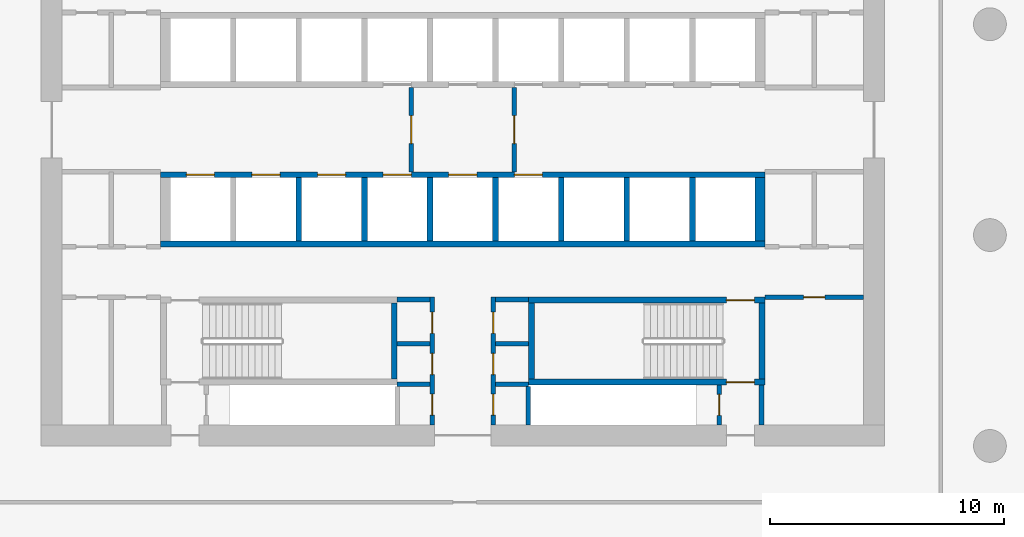
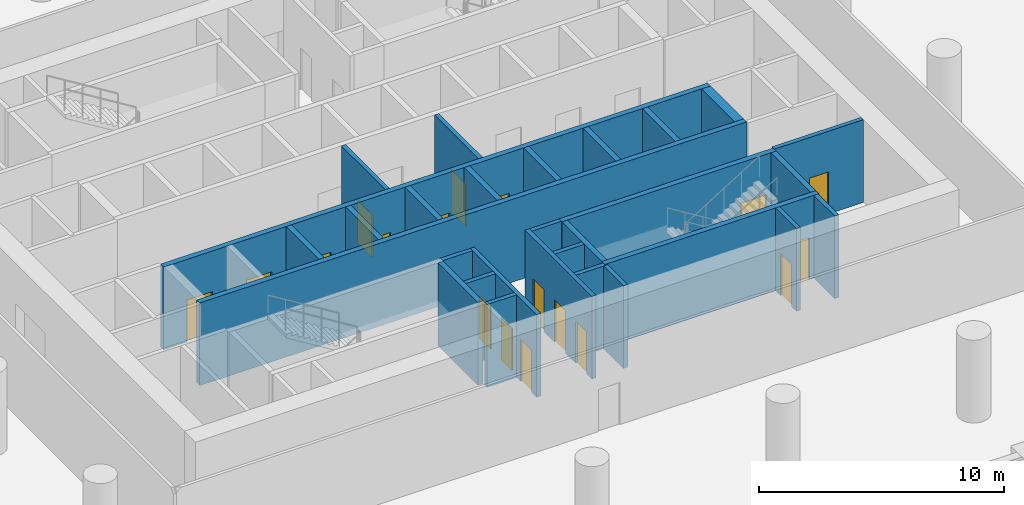
# One storey, part 5 of 18: 29 walls, 18 doors, 18 openings.
"""IFC4 building model written with IfcOpenShell, lengths in metres."""

from ifc_helpers import new_model, si_unit, direction, frame, frame_2d, origin, place, context, subcontext, project, spatial, polyline, rectangle, outline, extrude, material, layer, layer_set, type_object, element, fill, save


model = new_model("IFC4")

# Units and contexts
model_context = context("Model", 3, precision=1e-05, world=origin(), true_north=direction((0.0, 1.0)))
body_context = subcontext(model_context, "Body", "Model", "MODEL_VIEW")
ifc_project = project(units=[si_unit("LENGTHUNIT", "METRE"), si_unit("AREAUNIT", "SQUARE_METRE"), si_unit("VOLUMEUNIT", "CUBIC_METRE"), si_unit("PLANEANGLEUNIT", "RADIAN"), si_unit("MASSUNIT", "GRAM", prefix="KILO")], contexts=[model_context])

# Site, building, storey
site_placement = place(None, origin())
site = spatial("IfcSite", under=ifc_project, at=site_placement, CompositionType="ELEMENT")
building_placement = place(site_placement, origin())
building = spatial("IfcBuilding", under=site, at=building_placement, Name="Dhurran Vertical Campus", CompositionType="ELEMENT")
storey_placement = place(building_placement, frame((0.0, 0.0, 76.800048828125)))
storey = spatial("IfcBuildingStorey", under=building, at=storey_placement, Name="L18 Plant", CompositionType="ELEMENT", Elevation=76.800048828125)

# Wall, opening, door
ifc_material_1 = material(Name="Fire-rated masonry blockwork", Category="masonry")
ifc_layer_1 = layer(ifc_material_1, 0.199951171875)
ifc_layer_set_1 = layer_set([ifc_layer_1], Name="Fire-rated masonry blockwork")
wall_type_1 = type_object("IfcWallType", Name="co-FIRE-PARTITION-200", PredefinedType="PARTITIONING", material=ifc_layer_set_1)
wall_1_placement = place(storey_placement, frame((-2.199951171875, -1.800048828125, 0.0), z_axis=(0.0, 0.0, 1.0), x_axis=(0.0, 1.0, 0.0)))
wall_1 = element("IfcWall", 1, at=wall_1_placement, inside=storey, type_object=wall_type_1, Name="Firefighting lobby wall W L18", PredefinedType="PARTITIONING", context=body_context, shape_type="SweptSolid", body=[
    extrude(rectangle(XDim=3.60009765625, YDim=0.199951171875, at=frame_2d((1.800048828125, 0.0))), origin(), (0.0, 0.0, 1.0), 4.125),
])
opening_1_placement = place(wall_1_placement, frame((1.199951171875, 0.0, 0.0)))
opening_1 = element("IfcOpeningElement", 2, at=opening_1_placement, cuts=wall_1, Name="Opening FL1", PredefinedType="OPENING", context=body_context, shape_type="SweptSolid", body=[
    extrude(rectangle(XDim=1.199951171875, YDim=2.10009765625, at=frame_2d((0.60009765625, 1.050048828125))), frame((0.0, 0.10986328125, 0.0), z_axis=(0.0, -1.0, 0.0), x_axis=(1.0, 0.0, 0.0)), (0.0, 0.0, 1.0), 0.219970703125),
])
ifc_material_2 = material(Name="Fire-rated steel door set", Category="steel")
door_type_1 = type_object("IfcDoorType", Name="co-D-FFLOBBY 1200x2100", OperationType="SINGLE_SWING_LEFT", PredefinedType="DOOR", material=ifc_material_2)
door_1_placement = place(opening_1_placement, origin())
door_1 = element("IfcDoor", 3, at=door_1_placement, inside=storey, type_object=door_type_1, Name="Firefighting lobby door W L18", OperationType="SINGLE_SWING_LEFT", OverallHeight=2.10009765625, OverallWidth=1.199951171875, PredefinedType="DOOR", context=body_context, shape_type="SweptSolid", body=[
    extrude(rectangle(XDim=1.199951171875, YDim=2.10009765625, at=frame_2d((0.60009765625, 1.050048828125))), frame((0.0, 0.02490234375, 0.0), z_axis=(0.0, -1.0, 0.0), x_axis=(1.0, 0.0, 0.0)), (0.0, 0.0, 1.0), 0.050048828125),
])
fill(opening_1, door_1)

wall_2_placement = place(storey_placement, frame((2.199951171875, -1.800048828125, 0.0), z_axis=(0.0, 0.0, 1.0), x_axis=(0.0, 1.0, 0.0)))
wall_2 = element("IfcWall", 4, at=wall_2_placement, inside=storey, type_object=wall_type_1, Name="Firefighting lobby wall E L18", PredefinedType="PARTITIONING", context=body_context, shape_type="SweptSolid", body=[
    extrude(rectangle(XDim=3.60009765625, YDim=0.199951171875, at=frame_2d((1.800048828125, 0.0))), origin(), (0.0, 0.0, 1.0), 4.125),
])
opening_2_placement = place(wall_2_placement, frame((1.199951171875, 0.0, 0.0)))
opening_2 = element("IfcOpeningElement", 5, at=opening_2_placement, cuts=wall_2, Name="Opening FL2", PredefinedType="OPENING", context=body_context, shape_type="SweptSolid", body=[
    extrude(rectangle(XDim=1.199951171875, YDim=2.10009765625, at=frame_2d((0.60009765625, 1.050048828125))), frame((0.0, 0.10986328125, 0.0), z_axis=(0.0, -1.0, 0.0), x_axis=(1.0, 0.0, 0.0)), (0.0, 0.0, 1.0), 0.219970703125),
])
door_2_placement = place(opening_2_placement, origin())
door_2 = element("IfcDoor", 6, at=door_2_placement, inside=storey, type_object=door_type_1, Name="Firefighting lobby door E L18", OperationType="SINGLE_SWING_LEFT", OverallHeight=2.10009765625, OverallWidth=1.199951171875, PredefinedType="DOOR", context=body_context, shape_type="SweptSolid", body=[
    extrude(rectangle(XDim=1.199951171875, YDim=2.10009765625, at=frame_2d((0.60009765625, 1.050048828125))), frame((0.0, 0.02490234375, 0.0), z_axis=(0.0, -1.0, 0.0), x_axis=(1.0, 0.0, 0.0)), (0.0, 0.0, 1.0), 0.050048828125),
])
fill(opening_2, door_2)

# Walls
for number, where, z_axis, x_axis, name in (
    (7, (-2.800048828125, -7.25, 0.0), (0.0, 0.0, 1.0), (1.0, 0.0, 0.0), "Core partition sl-SW-S L18"),
    (8, (-2.800048828125, -9.135009765625, 0.0), (0.0, 0.0, 1.0), (1.0, 0.0, 0.0), "Core partition sl-SW-cut0 L18"),
    (9, (-2.800048828125, -10.867431640625, 0.0), (0.0, 0.0, 1.0), (1.0, 0.0, 0.0), "Core partition sl-SW-cut1 L18"),
    (10, (1.39990234375, -7.25, 0.0), (0.0, 0.0, 1.0), (1.0, 0.0, 0.0), "Core partition sl-SE-S L18"),
    (11, (1.39990234375, -9.135009765625, 0.0), (0.0, 0.0, 1.0), (1.0, 0.0, 0.0), "Core partition sl-SE-cut0 L18"),
    (12, (1.39990234375, -10.867431640625, 0.0), (0.0, 0.0, 1.0), (1.0, 0.0, 0.0), "Core partition sl-SE-cut1 L18"),
):
    element("IfcWall", number, at=place(storey_placement, frame(where, z_axis=z_axis, x_axis=x_axis)), inside=storey, type_object=wall_type_1, Name=name, PredefinedType="PARTITIONING", context=body_context, shape_type="SweptSolid", body=[
        extrude(rectangle(XDim=1.400146484375, YDim=0.199951171875, at=frame_2d((0.7001953125, 0.0))), origin(), (0.0, 0.0, 1.0), 4.125),
    ])

# Wall, openings, doors
wall_3_placement = place(storey_placement, frame((-1.300048828125, -12.60009765625, 0.0), z_axis=(0.0, 0.0, 1.0), x_axis=(0.0, 1.0, 0.0)))
wall_3 = element("IfcWall", 13, at=wall_3_placement, inside=storey, type_object=wall_type_1, Name="Core partition vest-SW L18", PredefinedType="PARTITIONING", context=body_context, shape_type="SweptSolid", body=[
    extrude(rectangle(XDim=5.4501953125, YDim=0.199951171875, at=frame_2d((2.72509765625, 0.0))), origin(), (0.0, 0.0, 1.0), 4.125),
])
opening_3_placement = place(wall_3_placement, frame((0.416259765625, 0.0, 0.0)))
opening_3 = element("IfcOpeningElement", 14, at=opening_3_placement, cuts=wall_3, Name="Opening BR18-C1", PredefinedType="OPENING", context=body_context, shape_type="SweptSolid", body=[
    extrude(rectangle(XDim=0.89990234375, YDim=2.10009765625, at=frame_2d((0.449951171875, 1.050048828125))), frame((0.0, 0.10986328125, 0.0), z_axis=(0.0, -1.0, 0.0), x_axis=(1.0, 0.0, 0.0)), (0.0, 0.0, 1.0), 0.219970703125),
])
opening_4_placement = place(wall_3_placement, frame((2.148681640625, 0.0, 0.0)))
opening_4 = element("IfcOpeningElement", 15, at=opening_4_placement, cuts=wall_3, Name="Opening BR18-C2", PredefinedType="OPENING", context=body_context, shape_type="SweptSolid", body=[
    extrude(rectangle(XDim=0.89990234375, YDim=2.10009765625, at=frame_2d((0.449951171875, 1.050048828125))), frame((0.0, 0.10986328125, 0.0), z_axis=(0.0, -1.0, 0.0), x_axis=(1.0, 0.0, 0.0)), (0.0, 0.0, 1.0), 0.219970703125),
])
opening_5_placement = place(wall_3_placement, frame((3.907470703125, 0.0, 0.0)))
opening_5 = element("IfcOpeningElement", 16, at=opening_5_placement, cuts=wall_3, Name="Opening BR18-C3", PredefinedType="OPENING", context=body_context, shape_type="SweptSolid", body=[
    extrude(rectangle(XDim=0.89990234375, YDim=2.10009765625, at=frame_2d((0.449951171875, 1.050048828125))), frame((0.0, 0.10986328125, 0.0), z_axis=(0.0, -1.0, 0.0), x_axis=(1.0, 0.0, 0.0)), (0.0, 0.0, 1.0), 0.219970703125),
])
ifc_material_3 = material(Name="Fire-rated timber door set", Category="wood")
door_type_2 = type_object("IfcDoorType", Name="co-D-ROOM 900x2100", OperationType="SINGLE_SWING_LEFT", PredefinedType="DOOR", material=ifc_material_3)
door_3_placement = place(opening_3_placement, origin())
door_3 = element("IfcDoor", 17, at=door_3_placement, inside=storey, type_object=door_type_2, Name="Sprinkler valve room door L18", OperationType="SINGLE_SWING_LEFT", OverallHeight=2.10009765625, OverallWidth=0.89990234375, PredefinedType="DOOR", context=body_context, shape_type="SweptSolid", body=[
    extrude(rectangle(XDim=0.89990234375, YDim=2.10009765625, at=frame_2d((0.449951171875, 1.050048828125))), frame((0.0, 0.02490234375, 0.0), z_axis=(0.0, -1.0, 0.0), x_axis=(1.0, 0.0, 0.0)), (0.0, 0.0, 1.0), 0.050048828125),
])
fill(opening_3, door_3)
door_4_placement = place(opening_4_placement, origin())
door_4 = element("IfcDoor", 18, at=door_4_placement, inside=storey, type_object=door_type_2, Name="Pump room door L18", OperationType="SINGLE_SWING_LEFT", OverallHeight=2.10009765625, OverallWidth=0.89990234375, PredefinedType="DOOR", context=body_context, shape_type="SweptSolid", body=[
    extrude(rectangle(XDim=0.89990234375, YDim=2.10009765625, at=frame_2d((0.449951171875, 1.050048828125))), frame((0.0, 0.02490234375, 0.0), z_axis=(0.0, -1.0, 0.0), x_axis=(1.0, 0.0, 0.0)), (0.0, 0.0, 1.0), 0.050048828125),
])
fill(opening_4, door_4)
door_5_placement = place(opening_5_placement, origin())
door_5 = element("IfcDoor", 19, at=door_5_placement, inside=storey, type_object=door_type_2, Name="Water tank room door L18", OperationType="SINGLE_SWING_LEFT", OverallHeight=2.10009765625, OverallWidth=0.89990234375, PredefinedType="DOOR", context=body_context, shape_type="SweptSolid", body=[
    extrude(rectangle(XDim=0.89990234375, YDim=2.10009765625, at=frame_2d((0.449951171875, 1.050048828125))), frame((0.0, 0.02490234375, 0.0), z_axis=(0.0, -1.0, 0.0), x_axis=(1.0, 0.0, 0.0)), (0.0, 0.0, 1.0), 0.050048828125),
])
fill(opening_5, door_5)

wall_4_placement = place(storey_placement, frame((1.300048828125, -12.60009765625, 0.0), z_axis=(0.0, 0.0, 1.0), x_axis=(0.0, 1.0, 0.0)))
wall_4 = element("IfcWall", 20, at=wall_4_placement, inside=storey, type_object=wall_type_1, Name="Core partition vest-SE L18", PredefinedType="PARTITIONING", context=body_context, shape_type="SweptSolid", body=[
    extrude(rectangle(XDim=5.4501953125, YDim=0.199951171875, at=frame_2d((2.72509765625, 0.0))), origin(), (0.0, 0.0, 1.0), 4.125),
])
opening_6_placement = place(wall_4_placement, frame((0.416259765625, 0.0, 0.0)))
opening_6 = element("IfcOpeningElement", 21, at=opening_6_placement, cuts=wall_4, Name="Opening BR18-C4", PredefinedType="OPENING", context=body_context, shape_type="SweptSolid", body=[
    extrude(rectangle(XDim=0.89990234375, YDim=2.10009765625, at=frame_2d((0.449951171875, 1.050048828125))), frame((0.0, 0.10986328125, 0.0), z_axis=(0.0, -1.0, 0.0), x_axis=(1.0, 0.0, 0.0)), (0.0, 0.0, 1.0), 0.219970703125),
])
opening_7_placement = place(wall_4_placement, frame((2.148681640625, 0.0, 0.0)))
opening_7 = element("IfcOpeningElement", 22, at=opening_7_placement, cuts=wall_4, Name="Opening BR18-C5", PredefinedType="OPENING", context=body_context, shape_type="SweptSolid", body=[
    extrude(rectangle(XDim=0.89990234375, YDim=2.10009765625, at=frame_2d((0.449951171875, 1.050048828125))), frame((0.0, 0.10986328125, 0.0), z_axis=(0.0, -1.0, 0.0), x_axis=(1.0, 0.0, 0.0)), (0.0, 0.0, 1.0), 0.219970703125),
])
opening_8_placement = place(wall_4_placement, frame((3.907470703125, 0.0, 0.0)))
opening_8 = element("IfcOpeningElement", 23, at=opening_8_placement, cuts=wall_4, Name="Opening BR18-C6", PredefinedType="OPENING", context=body_context, shape_type="SweptSolid", body=[
    extrude(rectangle(XDim=0.89990234375, YDim=2.10009765625, at=frame_2d((0.449951171875, 1.050048828125))), frame((0.0, 0.10986328125, 0.0), z_axis=(0.0, -1.0, 0.0), x_axis=(1.0, 0.0, 0.0)), (0.0, 0.0, 1.0), 0.219970703125),
])
door_6_placement = place(opening_6_placement, origin())
door_6 = element("IfcDoor", 24, at=door_6_placement, inside=storey, type_object=door_type_2, Name="Heat exchanger plant room door L18", OperationType="SINGLE_SWING_LEFT", OverallHeight=2.10009765625, OverallWidth=0.89990234375, PredefinedType="DOOR", context=body_context, shape_type="SweptSolid", body=[
    extrude(rectangle(XDim=0.89990234375, YDim=2.10009765625, at=frame_2d((0.449951171875, 1.050048828125))), frame((0.0, 0.02490234375, 0.0), z_axis=(0.0, -1.0, 0.0), x_axis=(1.0, 0.0, 0.0)), (0.0, 0.0, 1.0), 0.050048828125),
])
fill(opening_6, door_6)
door_7_placement = place(opening_7_placement, origin())
door_7 = element("IfcDoor", 25, at=door_7_placement, inside=storey, type_object=door_type_2, Name="Transformer room door L18", OperationType="SINGLE_SWING_LEFT", OverallHeight=2.10009765625, OverallWidth=0.89990234375, PredefinedType="DOOR", context=body_context, shape_type="SweptSolid", body=[
    extrude(rectangle(XDim=0.89990234375, YDim=2.10009765625, at=frame_2d((0.449951171875, 1.050048828125))), frame((0.0, 0.02490234375, 0.0), z_axis=(0.0, -1.0, 0.0), x_axis=(1.0, 0.0, 0.0)), (0.0, 0.0, 1.0), 0.050048828125),
])
fill(opening_7, door_7)
door_8_placement = place(opening_8_placement, origin())
door_8 = element("IfcDoor", 26, at=door_8_placement, inside=storey, type_object=door_type_2, Name="Air handling plant room door L18", OperationType="SINGLE_SWING_LEFT", OverallHeight=2.10009765625, OverallWidth=0.89990234375, PredefinedType="DOOR", context=body_context, shape_type="SweptSolid", body=[
    extrude(rectangle(XDim=0.89990234375, YDim=2.10009765625, at=frame_2d((0.449951171875, 1.050048828125))), frame((0.0, 0.02490234375, 0.0), z_axis=(0.0, -1.0, 0.0), x_axis=(1.0, 0.0, 0.0)), (0.0, 0.0, 1.0), 0.050048828125),
])
fill(opening_8, door_8)

# Wall
wall_5_placement = place(storey_placement, frame((12.75, -12.60009765625, 0.0), z_axis=(0.0, 0.0, 1.0), x_axis=(0.0, 1.0, 0.0)))
element("IfcWall", 27, at=wall_5_placement, inside=storey, type_object=wall_type_1, Name="Core partition pass-ST4-o L18", PredefinedType="PARTITIONING", context=body_context, shape_type="SweptSolid", body=[
    extrude(rectangle(XDim=1.7001953125, YDim=0.199951171875, at=frame_2d((0.85009765625, 0.0))), origin(), (0.0, 0.0, 1.0), 4.125),
])

# Wall, opening, door
wall_6_placement = place(storey_placement, frame((10.949951171875, -12.60009765625, 0.0), z_axis=(0.0, 0.0, 1.0), x_axis=(0.0, 1.0, 0.0)))
wall_6 = element("IfcWall", 28, at=wall_6_placement, inside=storey, type_object=wall_type_1, Name="Core partition pass-ST4-i L18", PredefinedType="PARTITIONING", context=body_context, shape_type="SweptSolid", body=[
    extrude(rectangle(XDim=1.7001953125, YDim=0.199951171875, at=frame_2d((0.85009765625, 0.0))), origin(), (0.0, 0.0, 1.0), 4.125),
])
opening_9_placement = place(wall_6_placement, frame((0.39990234375, 0.0, 0.0)))
opening_9 = element("IfcOpeningElement", 29, at=opening_9_placement, cuts=wall_6, Name="Opening BR18-C13", PredefinedType="OPENING", context=body_context, shape_type="SweptSolid", body=[
    extrude(rectangle(XDim=0.89990234375, YDim=2.10009765625, at=frame_2d((0.449951171875, 1.050048828125))), frame((0.0, 0.10986328125, 0.0), z_axis=(0.0, -1.0, 0.0), x_axis=(1.0, 0.0, 0.0)), (0.0, 0.0, 1.0), 0.219970703125),
])
door_9_placement = place(opening_9_placement, origin())
door_9 = element("IfcDoor", 30, at=door_9_placement, inside=storey, type_object=door_type_2, Name="Riser room door L18", OperationType="SINGLE_SWING_LEFT", OverallHeight=2.10009765625, OverallWidth=0.89990234375, PredefinedType="DOOR", context=body_context, shape_type="SweptSolid", body=[
    extrude(rectangle(XDim=0.89990234375, YDim=2.10009765625, at=frame_2d((0.449951171875, 1.050048828125))), frame((0.0, 0.02490234375, 0.0), z_axis=(0.0, -1.0, 0.0), x_axis=(1.0, 0.0, 0.0)), (0.0, 0.0, 1.0), 0.050048828125),
])
fill(opening_9, door_9)

wall_7_placement = place(storey_placement, frame((12.89990234375, -7.14990234375, 0.0), z_axis=(0.0, 0.0, 1.0), x_axis=(1.0, 0.0, 0.0)))
wall_7 = element("IfcWall", 31, at=wall_7_placement, inside=storey, type_object=wall_type_1, Name="Core partition en-SE-w L18", PredefinedType="PARTITIONING", context=body_context, shape_type="SweptSolid", body=[
    extrude(rectangle(XDim=4.2001953125, YDim=0.199951171875, at=frame_2d((2.10009765625, 0.0))), origin(), (0.0, 0.0, 1.0), 4.125),
])
opening_10_placement = place(wall_7_placement, frame((1.64990234375, 0.0, 0.0)))
opening_10 = element("IfcOpeningElement", 32, at=opening_10_placement, cuts=wall_7, Name="Opening BR18-C26", PredefinedType="OPENING", context=body_context, shape_type="SweptSolid", body=[
    extrude(rectangle(XDim=0.89990234375, YDim=2.10009765625, at=frame_2d((0.449951171875, 1.050048828125))), frame((0.0, 0.10986328125, 0.0), z_axis=(0.0, -1.0, 0.0), x_axis=(1.0, 0.0, 0.0)), (0.0, 0.0, 1.0), 0.219970703125),
])
door_10_placement = place(opening_10_placement, origin())
door_10 = element("IfcDoor", 33, at=door_10_placement, inside=storey, type_object=door_type_2, Name="Refuge area door L18", OperationType="SINGLE_SWING_LEFT", OverallHeight=2.10009765625, OverallWidth=0.89990234375, PredefinedType="DOOR", context=body_context, shape_type="SweptSolid", body=[
    extrude(rectangle(XDim=0.89990234375, YDim=2.10009765625, at=frame_2d((0.449951171875, 1.050048828125))), frame((0.0, 0.02490234375, 0.0), z_axis=(0.0, -1.0, 0.0), x_axis=(1.0, 0.0, 0.0)), (0.0, 0.0, 1.0), 0.050048828125),
])
fill(opening_10, door_10)

# Wall
wall_8_placement = place(storey_placement, frame((2.800048828125, -10.968505859375, 0.0), z_axis=(0.0, 0.0, 1.0), x_axis=(0.0, -1.0, 0.0)))
element("IfcWall", 34, at=wall_8_placement, inside=storey, type_object=wall_type_1, Name="Riser enclosure wall L18", PredefinedType="PARTITIONING", context=body_context, shape_type="SweptSolid", body=[
    extrude(rectangle(XDim=1.630615234375, YDim=0.199951171875, at=frame_2d((0.8154296875, 0.0))), origin(), (0.0, 0.0, 1.0), 4.125),
])

# Wall, openings, doors
ifc_material_4 = material(Name="Concrete C50/60", Category="concrete")
ifc_layer_2 = layer(ifc_material_4, 0.25)
ifc_layer_set_2 = layer_set([ifc_layer_2], Name="Concrete C50/60")
wall_type_2 = type_object("IfcWallType", Name="co-SHAFT-FRONT-250", PredefinedType="SHEAR", material=ifc_layer_set_2)
wall_9_placement = place(storey_placement, frame((-12.89990234375, -1.925048828125, 0.0), z_axis=(0.0, 0.0, 1.0), x_axis=(1.0, 0.0, 0.0)))
wall_9 = element("IfcWall", 35, at=wall_9_placement, inside=storey, type_object=wall_type_2, Name="Lift landing wall S L18", PredefinedType="SHEAR", context=body_context, shape_type="SweptSolid", body=[
    extrude(rectangle(XDim=25.7998046875, YDim=0.25, at=frame_2d((12.89990234375, 0.0))), origin(), (0.0, 0.0, 1.0), 4.125),
])
opening_11_placement = place(wall_9_placement, frame((1.10009765625, 0.0, 0.0)))
opening_11 = element("IfcOpeningElement", 36, at=opening_11_placement, cuts=wall_9, Name="Opening LD", PredefinedType="OPENING", context=body_context, shape_type="SweptSolid", body=[
    extrude(rectangle(XDim=1.199951171875, YDim=2.10009765625, at=frame_2d((0.60009765625, 1.050048828125))), frame((0.0, 0.135009765625, 0.0), z_axis=(0.0, -1.0, 0.0), x_axis=(1.0, 0.0, 0.0)), (0.0, 0.0, 1.0), 0.27001953125),
])
opening_12_placement = place(wall_9_placement, frame((3.89990234375, 0.0, 0.0)))
opening_12 = element("IfcOpeningElement", 37, at=opening_12_placement, cuts=wall_9, Name="Opening LD", PredefinedType="OPENING", context=body_context, shape_type="SweptSolid", body=[
    extrude(rectangle(XDim=1.199951171875, YDim=2.10009765625, at=frame_2d((0.60009765625, 1.050048828125))), frame((0.0, 0.135009765625, 0.0), z_axis=(0.0, -1.0, 0.0), x_axis=(1.0, 0.0, 0.0)), (0.0, 0.0, 1.0), 0.27001953125),
])
opening_13_placement = place(wall_9_placement, frame((6.699951171875, 0.0, 0.0)))
opening_13 = element("IfcOpeningElement", 38, at=opening_13_placement, cuts=wall_9, Name="Opening LD", PredefinedType="OPENING", context=body_context, shape_type="SweptSolid", body=[
    extrude(rectangle(XDim=1.199951171875, YDim=2.10009765625, at=frame_2d((0.60009765625, 1.050048828125))), frame((0.0, 0.135009765625, 0.0), z_axis=(0.0, -1.0, 0.0), x_axis=(1.0, 0.0, 0.0)), (0.0, 0.0, 1.0), 0.27001953125),
])
opening_14_placement = place(wall_9_placement, frame((9.5, 0.0, 0.0)))
opening_14 = element("IfcOpeningElement", 39, at=opening_14_placement, cuts=wall_9, Name="Opening LD", PredefinedType="OPENING", context=body_context, shape_type="SweptSolid", body=[
    extrude(rectangle(XDim=1.199951171875, YDim=2.10009765625, at=frame_2d((0.60009765625, 1.050048828125))), frame((0.0, 0.135009765625, 0.0), z_axis=(0.0, -1.0, 0.0), x_axis=(1.0, 0.0, 0.0)), (0.0, 0.0, 1.0), 0.27001953125),
])
opening_15_placement = place(wall_9_placement, frame((12.300048828125, 0.0, 0.0)))
opening_15 = element("IfcOpeningElement", 40, at=opening_15_placement, cuts=wall_9, Name="Opening LD", PredefinedType="OPENING", context=body_context, shape_type="SweptSolid", body=[
    extrude(rectangle(XDim=1.199951171875, YDim=2.10009765625, at=frame_2d((0.60009765625, 1.050048828125))), frame((0.0, 0.135009765625, 0.0), z_axis=(0.0, -1.0, 0.0), x_axis=(1.0, 0.0, 0.0)), (0.0, 0.0, 1.0), 0.27001953125),
])
opening_16_placement = place(wall_9_placement, frame((15.10009765625, 0.0, 0.0)))
opening_16 = element("IfcOpeningElement", 41, at=opening_16_placement, cuts=wall_9, Name="Opening LD", PredefinedType="OPENING", context=body_context, shape_type="SweptSolid", body=[
    extrude(rectangle(XDim=1.199951171875, YDim=2.10009765625, at=frame_2d((0.60009765625, 1.050048828125))), frame((0.0, 0.135009765625, 0.0), z_axis=(0.0, -1.0, 0.0), x_axis=(1.0, 0.0, 0.0)), (0.0, 0.0, 1.0), 0.27001953125),
])
ifc_material_5 = material(Name="Stainless steel landing door", Category="steel")
door_type_3 = type_object("IfcDoorType", Name="co-D-LANDING 1200x2100", OperationType="DOUBLE_DOOR_SLIDING", PredefinedType="DOOR", material=ifc_material_5)
door_11_placement = place(opening_11_placement, origin())
door_11 = element("IfcDoor", 42, at=door_11_placement, inside=storey, type_object=door_type_3, Name="Landing door LR5 L18", OperationType="DOUBLE_DOOR_SLIDING", OverallHeight=2.10009765625, OverallWidth=1.199951171875, PredefinedType="DOOR", context=body_context, shape_type="SweptSolid", body=[
    extrude(rectangle(XDim=1.199951171875, YDim=2.10009765625, at=frame_2d((0.60009765625, 1.050048828125))), frame((0.0, 0.02490234375, 0.0), z_axis=(0.0, -1.0, 0.0), x_axis=(1.0, 0.0, 0.0)), (0.0, 0.0, 1.0), 0.050048828125),
])
fill(opening_11, door_11)
door_12_placement = place(opening_12_placement, origin())
door_12 = element("IfcDoor", 43, at=door_12_placement, inside=storey, type_object=door_type_3, Name="Landing door LR6 L18", OperationType="DOUBLE_DOOR_SLIDING", OverallHeight=2.10009765625, OverallWidth=1.199951171875, PredefinedType="DOOR", context=body_context, shape_type="SweptSolid", body=[
    extrude(rectangle(XDim=1.199951171875, YDim=2.10009765625, at=frame_2d((0.60009765625, 1.050048828125))), frame((0.0, 0.02490234375, 0.0), z_axis=(0.0, -1.0, 0.0), x_axis=(1.0, 0.0, 0.0)), (0.0, 0.0, 1.0), 0.050048828125),
])
fill(opening_12, door_12)
door_13_placement = place(opening_13_placement, origin())
door_13 = element("IfcDoor", 44, at=door_13_placement, inside=storey, type_object=door_type_3, Name="Landing door LR7 L18", OperationType="DOUBLE_DOOR_SLIDING", OverallHeight=2.10009765625, OverallWidth=1.199951171875, PredefinedType="DOOR", context=body_context, shape_type="SweptSolid", body=[
    extrude(rectangle(XDim=1.199951171875, YDim=2.10009765625, at=frame_2d((0.60009765625, 1.050048828125))), frame((0.0, 0.02490234375, 0.0), z_axis=(0.0, -1.0, 0.0), x_axis=(1.0, 0.0, 0.0)), (0.0, 0.0, 1.0), 0.050048828125),
])
fill(opening_13, door_13)
door_14_placement = place(opening_14_placement, origin())
door_14 = element("IfcDoor", 45, at=door_14_placement, inside=storey, type_object=door_type_3, Name="Landing door LR8 L18", OperationType="DOUBLE_DOOR_SLIDING", OverallHeight=2.10009765625, OverallWidth=1.199951171875, PredefinedType="DOOR", context=body_context, shape_type="SweptSolid", body=[
    extrude(rectangle(XDim=1.199951171875, YDim=2.10009765625, at=frame_2d((0.60009765625, 1.050048828125))), frame((0.0, 0.02490234375, 0.0), z_axis=(0.0, -1.0, 0.0), x_axis=(1.0, 0.0, 0.0)), (0.0, 0.0, 1.0), 0.050048828125),
])
fill(opening_14, door_14)
door_15_placement = place(opening_15_placement, origin())
door_15 = element("IfcDoor", 46, at=door_15_placement, inside=storey, type_object=door_type_3, Name="Landing door FF2 L18", OperationType="DOUBLE_DOOR_SLIDING", OverallHeight=2.10009765625, OverallWidth=1.199951171875, PredefinedType="DOOR", context=body_context, shape_type="SweptSolid", body=[
    extrude(rectangle(XDim=1.199951171875, YDim=2.10009765625, at=frame_2d((0.60009765625, 1.050048828125))), frame((0.0, 0.02490234375, 0.0), z_axis=(0.0, -1.0, 0.0), x_axis=(1.0, 0.0, 0.0)), (0.0, 0.0, 1.0), 0.050048828125),
])
fill(opening_15, door_15)
door_16_placement = place(opening_16_placement, origin())
door_16 = element("IfcDoor", 47, at=door_16_placement, inside=storey, type_object=door_type_3, Name="Landing door SV1 L18", OperationType="DOUBLE_DOOR_SLIDING", OverallHeight=2.10009765625, OverallWidth=1.199951171875, PredefinedType="DOOR", context=body_context, shape_type="SweptSolid", body=[
    extrude(rectangle(XDim=1.199951171875, YDim=2.10009765625, at=frame_2d((0.60009765625, 1.050048828125))), frame((0.0, 0.02490234375, 0.0), z_axis=(0.0, -1.0, 0.0), x_axis=(1.0, 0.0, 0.0)), (0.0, 0.0, 1.0), 0.050048828125),
])
fill(opening_16, door_16)

# Walls
ifc_material_6 = material(Name="Concrete C50/60", Category="concrete")
ifc_layer_3 = layer(ifc_material_6, 0.25)
ifc_layer_set_3 = layer_set([ifc_layer_3], Name="Concrete C50/60")
wall_type_3 = type_object("IfcWallType", Name="co-SHAFT-MASS-250", PredefinedType="SHEAR", material=ifc_layer_set_3)
wall_10_placement = place(storey_placement, origin())
element("IfcWall", 48, at=wall_10_placement, inside=storey, type_object=wall_type_3, Name="Lift shaft wall S L18 1", PredefinedType="SHEAR", context=body_context, shape_type="SweptSolid", body=[
    extrude(outline(polyline([(-12.89990234375, -5.0), (12.89990234375, -5.0), (12.89990234375, -4.75), (-12.89990234375, -4.75), (-12.89990234375, -5.0)])), origin(), (0.0, 0.0, 1.0), 4.125),
])
wall_11_placement = place(storey_placement, origin())
element("IfcWall", 49, at=wall_11_placement, inside=storey, type_object=wall_type_3, Name="Lift shaft wall S L18 4", PredefinedType="SHEAR", context=body_context, shape_type="SweptSolid", body=[
    extrude(outline(polyline([(-7.125, -4.75), (-6.875, -4.75), (-6.875, -2.050048828125), (-7.125, -2.050048828125), (-7.125, -4.75)])), origin(), (0.0, 0.0, 1.0), 4.125),
])
wall_12_placement = place(storey_placement, origin())
element("IfcWall", 50, at=wall_12_placement, inside=storey, type_object=wall_type_3, Name="Lift shaft wall S L18 5", PredefinedType="SHEAR", context=body_context, shape_type="SweptSolid", body=[
    extrude(outline(polyline([(-4.324951171875, -4.75), (-4.074951171875, -4.75), (-4.074951171875, -2.050048828125), (-4.324951171875, -2.050048828125), (-4.324951171875, -4.75)])), origin(), (0.0, 0.0, 1.0), 4.125),
])
wall_13_placement = place(storey_placement, origin())
element("IfcWall", 51, at=wall_13_placement, inside=storey, type_object=wall_type_3, Name="Lift shaft wall S L18 6", PredefinedType="SHEAR", context=body_context, shape_type="SweptSolid", body=[
    extrude(outline(polyline([(-1.52490234375, -4.75), (-1.27490234375, -4.75), (-1.27490234375, -2.050048828125), (-1.52490234375, -2.050048828125), (-1.52490234375, -4.75)])), origin(), (0.0, 0.0, 1.0), 4.125),
])
wall_14_placement = place(storey_placement, origin())
element("IfcWall", 52, at=wall_14_placement, inside=storey, type_object=wall_type_3, Name="Lift shaft wall S L18 7", PredefinedType="SHEAR", context=body_context, shape_type="SweptSolid", body=[
    extrude(outline(polyline([(1.27490234375, -4.75), (1.52490234375, -4.75), (1.52490234375, -2.050048828125), (1.27490234375, -2.050048828125), (1.27490234375, -4.75)])), origin(), (0.0, 0.0, 1.0), 4.125),
])
wall_15_placement = place(storey_placement, origin())
element("IfcWall", 53, at=wall_15_placement, inside=storey, type_object=wall_type_3, Name="Lift shaft wall S L18 8", PredefinedType="SHEAR", context=body_context, shape_type="SweptSolid", body=[
    extrude(outline(polyline([(4.074951171875, -4.75), (4.324951171875, -4.75), (4.324951171875, -2.050048828125), (4.074951171875, -2.050048828125), (4.074951171875, -4.75)])), origin(), (0.0, 0.0, 1.0), 4.125),
])
wall_16_placement = place(storey_placement, origin())
element("IfcWall", 54, at=wall_16_placement, inside=storey, type_object=wall_type_3, Name="Lift shaft wall S L18 9", PredefinedType="SHEAR", context=body_context, shape_type="SweptSolid", body=[
    extrude(outline(polyline([(6.875, -4.75), (7.125, -4.75), (7.125, -2.050048828125), (6.875, -2.050048828125), (6.875, -4.75)])), origin(), (0.0, 0.0, 1.0), 4.125),
])
wall_17_placement = place(storey_placement, origin())
element("IfcWall", 55, at=wall_17_placement, inside=storey, type_object=wall_type_3, Name="Lift shaft wall S L18 10", PredefinedType="SHEAR", context=body_context, shape_type="SweptSolid", body=[
    extrude(outline(polyline([(9.675048828125, -4.75), (9.925048828125, -4.75), (9.925048828125, -2.050048828125), (9.675048828125, -2.050048828125), (9.675048828125, -4.75)])), origin(), (0.0, 0.0, 1.0), 4.125),
])
wall_18_placement = place(storey_placement, origin())
element("IfcWall", 56, at=wall_18_placement, inside=storey, type_object=wall_type_3, Name="Lift shaft wall S L18 11", PredefinedType="SHEAR", context=body_context, shape_type="SweptSolid", body=[
    extrude(outline(polyline([(12.47509765625, -4.75), (12.89990234375, -4.75), (12.89990234375, -2.050048828125), (12.47509765625, -2.050048828125), (12.47509765625, -4.75)])), origin(), (0.0, 0.0, 1.0), 4.125),
])
ifc_material_7 = material(Name="Concrete C40/50", Category="concrete")
ifc_layer_4 = layer(ifc_material_7, 0.25)
ifc_layer_set_4 = layer_set([ifc_layer_4], Name="Concrete C40/50")
wall_type_4 = type_object("IfcWallType", Name="co-STAIR-WALL-250", PredefinedType="SHEAR", material=ifc_layer_set_4)
wall_19_placement = place(storey_placement, frame((-2.925048828125, -10.64990234375, 0.0), z_axis=(0.0, 0.0, 1.0), x_axis=(0.0, 1.0, 0.0)))
element("IfcWall", 57, at=wall_19_placement, inside=storey, type_object=wall_type_4, Name="Stair ST3 enclosure wall L18", PredefinedType="SHEAR", context=body_context, shape_type="SweptSolid", body=[
    extrude(rectangle(XDim=3.25, YDim=0.25, at=frame_2d((1.625, 0.0))), origin(), (0.0, 0.0, 1.0), 4.125),
])

# Wall, opening, door
wall_20_placement = place(storey_placement, frame((2.800048828125, -10.77490234375, 0.0), z_axis=(0.0, 0.0, 1.0), x_axis=(1.0, 0.0, 0.0)))
wall_20 = element("IfcWall", 58, at=wall_20_placement, inside=storey, type_object=wall_type_4, Name="Stair ST4 enclosure wall L18", PredefinedType="SHEAR", context=body_context, shape_type="SweptSolid", body=[
    extrude(rectangle(XDim=10.099853515625, YDim=0.25, at=frame_2d((5.0498046875, 0.0))), origin(), (0.0, 0.0, 1.0), 4.125),
])
opening_17_placement = place(wall_20_placement, frame((8.449951171875, 0.0, 0.0)))
opening_17 = element("IfcOpeningElement", 59, at=opening_17_placement, cuts=wall_20, Name="Opening XS4", PredefinedType="OPENING", context=body_context, shape_type="SweptSolid", body=[
    extrude(rectangle(XDim=1.199951171875, YDim=2.10009765625, at=frame_2d((0.60009765625, 1.050048828125))), frame((0.0, 0.135009765625, 0.0), z_axis=(0.0, -1.0, 0.0), x_axis=(1.0, 0.0, 0.0)), (0.0, 0.0, 1.0), 0.27001953125),
])
ifc_material_8 = material(Name="Fire-rated steel door set", Category="steel")
door_type_4 = type_object("IfcDoorType", Name="co-D-STAIR-EXIT 1200x2100", OperationType="SINGLE_SWING_RIGHT", PredefinedType="DOOR", material=ifc_material_8)
door_17_placement = place(opening_17_placement, origin())
door_17 = element("IfcDoor", 60, at=door_17_placement, inside=storey, type_object=door_type_4, Name="Stair ST4 discharge door L18", OperationType="SINGLE_SWING_RIGHT", OverallHeight=2.10009765625, OverallWidth=1.199951171875, PredefinedType="DOOR", context=body_context, shape_type="SweptSolid", body=[
    extrude(rectangle(XDim=1.199951171875, YDim=2.10009765625, at=frame_2d((0.60009765625, 1.050048828125))), frame((0.0, 0.02490234375, 0.0), z_axis=(0.0, -1.0, 0.0), x_axis=(1.0, 0.0, 0.0)), (0.0, 0.0, 1.0), 0.050048828125),
])
fill(opening_17, door_17)

wall_21_placement = place(storey_placement, frame((2.800048828125, -7.27490234375, 0.0), z_axis=(0.0, 0.0, 1.0), x_axis=(1.0, 0.0, 0.0)))
wall_21 = element("IfcWall", 61, at=wall_21_placement, inside=storey, type_object=wall_type_4, Name="Stair ST4 enclosure wall L18", PredefinedType="SHEAR", context=body_context, shape_type="SweptSolid", body=[
    extrude(rectangle(XDim=10.099853515625, YDim=0.25, at=frame_2d((5.0498046875, 0.0))), origin(), (0.0, 0.0, 1.0), 4.125),
])
opening_18_placement = place(wall_21_placement, frame((8.449951171875, 0.0, 0.0)))
opening_18 = element("IfcOpeningElement", 62, at=opening_18_placement, cuts=wall_21, Name="Opening SD4", PredefinedType="OPENING", context=body_context, shape_type="SweptSolid", body=[
    extrude(rectangle(XDim=1.199951171875, YDim=2.10009765625, at=frame_2d((0.60009765625, 1.050048828125))), frame((0.0, 0.135009765625, 0.0), z_axis=(0.0, -1.0, 0.0), x_axis=(1.0, 0.0, 0.0)), (0.0, 0.0, 1.0), 0.27001953125),
])
ifc_material_9 = material(Name="Fire-rated steel door set", Category="steel")
door_type_5 = type_object("IfcDoorType", Name="co-D-STAIR 1200x2100", OperationType="SINGLE_SWING_LEFT", PredefinedType="DOOR", material=ifc_material_9)
door_18_placement = place(opening_18_placement, origin())
door_18 = element("IfcDoor", 63, at=door_18_placement, inside=storey, type_object=door_type_5, Name="Stair ST4 door L18", OperationType="SINGLE_SWING_LEFT", OverallHeight=2.10009765625, OverallWidth=1.199951171875, PredefinedType="DOOR", context=body_context, shape_type="SweptSolid", body=[
    extrude(rectangle(XDim=1.199951171875, YDim=2.10009765625, at=frame_2d((0.60009765625, 1.050048828125))), frame((0.0, 0.02490234375, 0.0), z_axis=(0.0, -1.0, 0.0), x_axis=(1.0, 0.0, 0.0)), (0.0, 0.0, 1.0), 0.050048828125),
])
fill(opening_18, door_18)

# Walls
for number, where, z_axis, x_axis, name in (
    (64, (2.925048828125, -10.64990234375, 0.0), (0.0, 0.0, 1.0), (0.0, 1.0, 0.0), "Stair ST4 enclosure wall L18"),
    (65, (12.77490234375, -10.64990234375, 0.0), (0.0, 0.0, 1.0), (0.0, 1.0, 0.0), "Stair ST4 enclosure wall L18"),
):
    element("IfcWall", number, at=place(storey_placement, frame(where, z_axis=z_axis, x_axis=x_axis)), inside=storey, type_object=wall_type_4, Name=name, PredefinedType="SHEAR", context=body_context, shape_type="SweptSolid", body=[
        extrude(rectangle(XDim=3.25, YDim=0.25, at=frame_2d((1.625, 0.0))), origin(), (0.0, 0.0, 1.0), 4.125),
    ])

save(model, "model.ifc")
